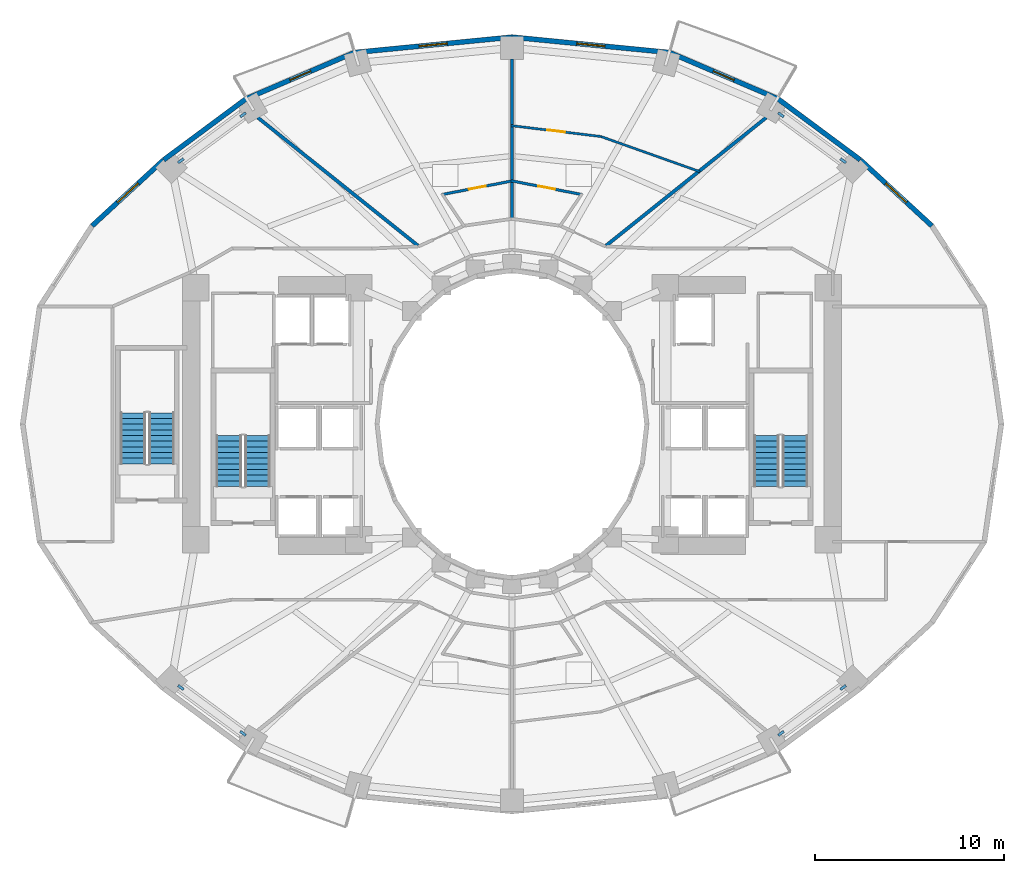
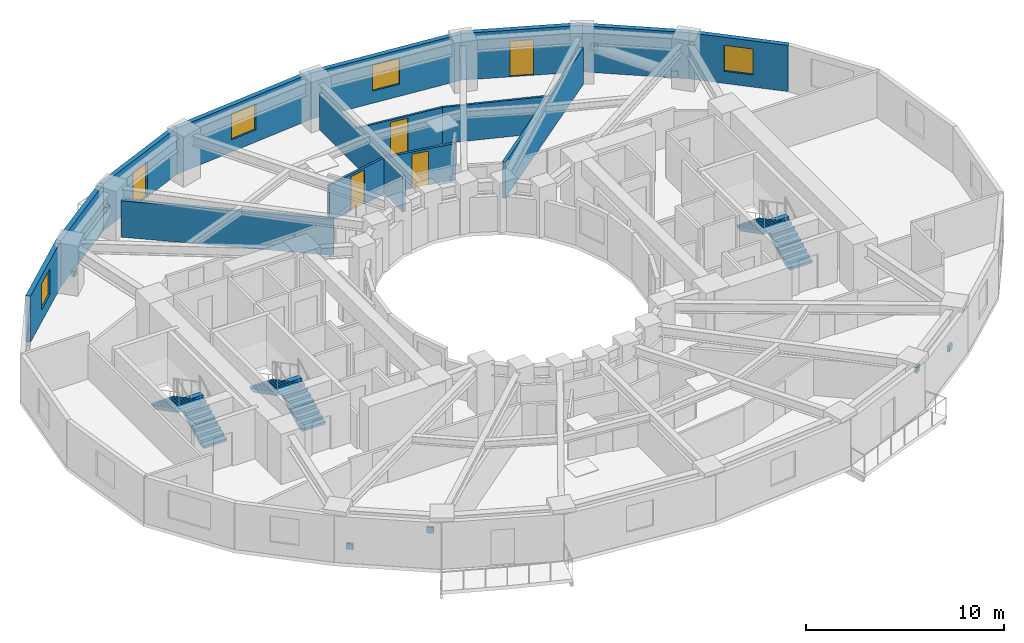
# One storey, part 7 of 10: 15 walls, 8 discrete accessories, 6 stair flights, 5 doors, 4 windows, 9 openings, 3 elements without a shape of their own.
"""IFC4 building model written with IfcOpenShell, lengths in metres."""

from ifc_helpers import new_model, si_unit, direction, frame, frame_2d, origin, origin_2d, place, context, subcontext, project, spatial, polyline, rectangle, outline, extrude, material, layer, layer_set, type_object, element, fill, aggregate, save


model = new_model("IFC4")

# Units and contexts
model_context = context("Model", 3, precision=1e-05, world=origin(), true_north=direction((0.0, 1.0)))
body_context = subcontext(model_context, "Body", "Model", "MODEL_VIEW")
ifc_project = project(units=[si_unit("LENGTHUNIT", "METRE"), si_unit("AREAUNIT", "SQUARE_METRE"), si_unit("VOLUMEUNIT", "CUBIC_METRE"), si_unit("PLANEANGLEUNIT", "RADIAN"), si_unit("MASSUNIT", "GRAM", prefix="KILO")], contexts=[model_context])

# Site, building, storey
site_placement = place(None, origin())
site = spatial("IfcSite", under=ifc_project, at=site_placement, CompositionType="ELEMENT")
building_placement = place(site_placement, origin())
building = spatial("IfcBuilding", under=site, at=building_placement, Name="Solvane Sanctuary Tower", CompositionType="ELEMENT")
storey_placement = place(building_placement, frame((0.0, 0.0, 30.699951171875)))
storey = spatial("IfcBuildingStorey", under=building, at=storey_placement, Name="L08", CompositionType="ELEMENT", Elevation=30.699951171875)

# Wall, opening, window
ifc_material_1 = material(Name="Precast concrete C40/50", Category="concrete")
ifc_layer_1 = layer(ifc_material_1, 0.260009765625, Name="Precast concrete C40/50")
ifc_layer_set_1 = layer_set([ifc_layer_1], Name="Precast concrete C40/50")
wall_type_1 = type_object("IfcWallType", Name="Wall W-EXT-250", PredefinedType="STANDARD", material=ifc_layer_set_1)
wall_1_placement = place(storey_placement, frame((54.19384765625, 33.4755859375, 0.0), z_axis=(0.0, 0.0, 1.0), x_axis=(-0.735655109293, 0.67735630223, 0.0)))
wall_1 = element("IfcWall", 1, at=wall_1_placement, inside=storey, type_object=wall_type_1, Name="L08 Ceramic-Printed Facade Wall 02", PredefinedType="STANDARD", context=body_context, shape_type="SweptSolid", body=[
    extrude(rectangle(XDim=5.15087890625, YDim=0.260009765625, at=frame_2d((2.575439453125, 0.0))), origin(), (0.0, 0.0, 1.0), 2.85009765625),
])
opening_1_placement = place(wall_1_placement, frame((1.825439453125, 0.0, 0.75)))
opening_1 = element("IfcOpeningElement", 2, at=opening_1_placement, cuts=wall_1, Name="Opening WN-OPER-1500", PredefinedType="OPENING", context=body_context, shape_type="SweptSolid", body=[
    extrude(rectangle(XDim=1.5, YDim=1.60009765625, at=frame_2d((0.75, 0.800048828125))), frame((0.0, 0.139892578125, 0.0), z_axis=(0.0, -1.0, 0.0), x_axis=(1.0, 0.0, 0.0)), (0.0, 0.0, 1.0), 0.280029296875),
])
ifc_material_2 = material(Name="Dark Ceramic-Fritted Low-E Glass", Category="glass")
window_type = type_object("IfcWindowType", Name="Window WN-OPER-1500", PartitioningType="SINGLE_PANEL", PredefinedType="WINDOW", material=ifc_material_2)
window_1_placement = place(opening_1_placement, origin())
window_1 = element("IfcWindow", 3, at=window_1_placement, inside=storey, type_object=window_type, Name="L08 Operable Facade Window 02", OverallHeight=1.60009765625, OverallWidth=1.5, PartitioningType="SINGLE_PANEL", PredefinedType="WINDOW", context=body_context, shape_type="SweptSolid", body=[
    extrude(rectangle(XDim=1.5, YDim=1.60009765625, at=frame_2d((0.75, 0.800048828125))), frame((0.0, 0.030029296875, 0.0), z_axis=(0.0, -1.0, 0.0), x_axis=(1.0, 0.0, 0.0)), (0.0, 0.0, 1.0), 0.06005859375),
])
fill(opening_1, window_1)

# Wall
wall_2_placement = place(storey_placement, frame((50.404541015625, 36.964599609375, 0.0), z_axis=(0.0, 0.0, 1.0), x_axis=(-0.803477531792, 0.595335078679, 0.0)))
element("IfcWall", 4, at=wall_2_placement, inside=storey, type_object=wall_type_1, Name="L08 Ceramic-Printed Facade Wall 03", PredefinedType="STANDARD", context=body_context, shape_type="SweptSolid", body=[
    extrude(rectangle(XDim=5.4296875, YDim=0.260009765625, at=frame_2d((2.71484375, 0.0))), origin(), (0.0, 0.0, 1.0), 2.85009765625),
])

# Wall, opening, door
wall_3_placement = place(storey_placement, frame((46.0419921875, 40.197021484375, 0.0), z_axis=(0.0, 0.0, 1.0), x_axis=(-0.919612132394, 0.39282760335, 0.0)))
wall_3 = element("IfcWall", 5, at=wall_3_placement, inside=storey, type_object=wall_type_1, Name="L08 Balcony Facade Wall N1", PredefinedType="STANDARD", context=body_context, shape_type="SweptSolid", body=[
    extrude(rectangle(XDim=6.20947265625, YDim=0.260009765625, at=frame_2d((3.104736328125, 0.0))), origin(), (0.0, 0.0, 1.0), 2.880126953125),
])
opening_2_placement = place(wall_3_placement, frame((2.5048828125, 0.0, 0.0)))
opening_2 = element("IfcOpeningElement", 6, at=opening_2_placement, cuts=wall_3, Name="Opening D-L08-01", PredefinedType="OPENING", context=body_context, shape_type="SweptSolid", body=[
    extrude(rectangle(XDim=1.199951171875, YDim=2.199951171875, at=frame_2d((0.60009765625, 1.10009765625))), frame((0.0, 0.139892578125, 0.0), z_axis=(0.0, -1.0, 0.0), x_axis=(1.0, 0.0, 0.0)), (0.0, 0.0, 1.0), 0.280029296875),
])
ifc_material_3 = material(Name="Anodised Aluminium 6063-T6", Category="aluminium")
door_type_1 = type_object("IfcDoorType", Name="Door D-BALC-1200", OperationType="NOTDEFINED", PredefinedType="DOOR", material=ifc_material_3)
door_1_placement = place(opening_2_placement, origin())
door_1 = element("IfcDoor", 7, at=door_1_placement, inside=storey, type_object=door_type_1, Name="L08 Glazed Balcony Door N1", OperationType="SINGLE_SWING_RIGHT", OverallHeight=2.199951171875, OverallWidth=1.199951171875, PredefinedType="DOOR", context=body_context, shape_type="SweptSolid", body=[
    extrude(rectangle(XDim=1.199951171875, YDim=2.199951171875, at=frame_2d((0.60009765625, 1.10009765625))), frame((0.0, 0.02490234375, 0.0), z_axis=(0.0, -1.0, 0.0), x_axis=(1.0, 0.0, 0.0)), (0.0, 0.0, 1.0), 0.050048828125),
])
fill(opening_2, door_1)

# Wall, opening, window
wall_4_placement = place(storey_placement, frame((40.331787109375, 42.63623046875, 0.0), z_axis=(0.0, 0.0, 1.0), x_axis=(-0.995247718352, 0.097375454379, 0.0)))
wall_4 = element("IfcWall", 8, at=wall_4_placement, inside=storey, type_object=wall_type_1, Name="L08 Ceramic-Printed Facade Wall 05", PredefinedType="STANDARD", context=body_context, shape_type="SweptSolid", body=[
    extrude(rectangle(XDim=8.37158203125, YDim=0.260009765625, at=frame_2d((4.185791015625, 0.0))), origin(), (0.0, 0.0, 1.0), 2.85009765625),
])
opening_3_placement = place(wall_4_placement, frame((3.435791015625, 0.0, 0.75)))
opening_3 = element("IfcOpeningElement", 9, at=opening_3_placement, cuts=wall_4, Name="Opening WN-OPER-1500", PredefinedType="OPENING", context=body_context, shape_type="SweptSolid", body=[
    extrude(rectangle(XDim=1.5, YDim=1.60009765625, at=frame_2d((0.75, 0.800048828125))), frame((0.0, 0.139892578125, 0.0), z_axis=(0.0, -1.0, 0.0), x_axis=(1.0, 0.0, 0.0)), (0.0, 0.0, 1.0), 0.280029296875),
])
window_2_placement = place(opening_3_placement, origin())
window_2 = element("IfcWindow", 10, at=window_2_placement, inside=storey, type_object=window_type, Name="L08 Operable Facade Window 05", OverallHeight=1.60009765625, OverallWidth=1.5, PartitioningType="SINGLE_PANEL", PredefinedType="WINDOW", context=body_context, shape_type="SweptSolid", body=[
    extrude(rectangle(XDim=1.5, YDim=1.60009765625, at=frame_2d((0.75, 0.800048828125))), frame((0.0, 0.030029296875, 0.0), z_axis=(0.0, -1.0, 0.0), x_axis=(1.0, 0.0, 0.0)), (0.0, 0.0, 1.0), 0.06005859375),
])
fill(opening_3, window_2)

wall_5_placement = place(storey_placement, frame((32.0, 43.451416015625, 0.0), z_axis=(0.0, 0.0, 1.0), x_axis=(-0.995247718352, -0.097375454379, 0.0)))
wall_5 = element("IfcWall", 11, at=wall_5_placement, inside=storey, type_object=wall_type_1, Name="L08 Ceramic-Printed Facade Wall 06", PredefinedType="STANDARD", context=body_context, shape_type="SweptSolid", body=[
    extrude(rectangle(XDim=8.37158203125, YDim=0.260009765625, at=frame_2d((4.185791015625, 0.0))), origin(), (0.0, 0.0, 1.0), 2.85009765625),
])
opening_4_placement = place(wall_5_placement, frame((3.435791015625, 0.0, 0.75)))
opening_4 = element("IfcOpeningElement", 12, at=opening_4_placement, cuts=wall_5, Name="Opening WN-OPER-1500", PredefinedType="OPENING", context=body_context, shape_type="SweptSolid", body=[
    extrude(rectangle(XDim=1.5, YDim=1.60009765625, at=frame_2d((0.75, 0.800048828125))), frame((0.0, 0.139892578125, 0.0), z_axis=(0.0, -1.0, 0.0), x_axis=(1.0, 0.0, 0.0)), (0.0, 0.0, 1.0), 0.280029296875),
])
window_3_placement = place(opening_4_placement, origin())
window_3 = element("IfcWindow", 13, at=window_3_placement, inside=storey, type_object=window_type, Name="L08 Operable Facade Window 06", OverallHeight=1.60009765625, OverallWidth=1.5, PartitioningType="SINGLE_PANEL", PredefinedType="WINDOW", context=body_context, shape_type="SweptSolid", body=[
    extrude(rectangle(XDim=1.5, YDim=1.60009765625, at=frame_2d((0.75, 0.800048828125))), frame((0.0, 0.030029296875, 0.0), z_axis=(0.0, -1.0, 0.0), x_axis=(1.0, 0.0, 0.0)), (0.0, 0.0, 1.0), 0.06005859375),
])
fill(opening_4, window_3)

# Wall, opening, door
wall_6_placement = place(storey_placement, frame((23.668212890625, 42.63623046875, 0.0), z_axis=(0.0, 0.0, 1.0), x_axis=(-0.919612132394, -0.39282760335, 0.0)))
wall_6 = element("IfcWall", 14, at=wall_6_placement, inside=storey, type_object=wall_type_1, Name="L08 Balcony Facade Wall N2", PredefinedType="STANDARD", context=body_context, shape_type="SweptSolid", body=[
    extrude(rectangle(XDim=6.20947265625, YDim=0.260009765625, at=frame_2d((3.104736328125, 0.0))), origin(), (0.0, 0.0, 1.0), 2.880126953125),
])
opening_5_placement = place(wall_6_placement, frame((2.5048828125, 0.0, 0.0)))
opening_5 = element("IfcOpeningElement", 15, at=opening_5_placement, cuts=wall_6, Name="Opening D-L08-02", PredefinedType="OPENING", context=body_context, shape_type="SweptSolid", body=[
    extrude(rectangle(XDim=1.199951171875, YDim=2.199951171875, at=frame_2d((0.60009765625, 1.10009765625))), frame((0.0, 0.139892578125, 0.0), z_axis=(0.0, -1.0, 0.0), x_axis=(1.0, 0.0, 0.0)), (0.0, 0.0, 1.0), 0.280029296875),
])
door_2_placement = place(opening_5_placement, origin())
door_2 = element("IfcDoor", 16, at=door_2_placement, inside=storey, type_object=door_type_1, Name="L08 Glazed Balcony Door N2", OperationType="SINGLE_SWING_LEFT", OverallHeight=2.199951171875, OverallWidth=1.199951171875, PredefinedType="DOOR", context=body_context, shape_type="SweptSolid", body=[
    extrude(rectangle(XDim=1.199951171875, YDim=2.199951171875, at=frame_2d((0.60009765625, 1.10009765625))), frame((0.0, 0.02490234375, 0.0), z_axis=(0.0, -1.0, 0.0), x_axis=(1.0, 0.0, 0.0)), (0.0, 0.0, 1.0), 0.050048828125),
])
fill(opening_5, door_2)

# Wall
wall_7_placement = place(storey_placement, frame((17.9580078125, 40.197021484375, 0.0), z_axis=(0.0, 0.0, 1.0), x_axis=(-0.803477531792, -0.595335078679, 0.0)))
element("IfcWall", 17, at=wall_7_placement, inside=storey, type_object=wall_type_1, Name="L08 Ceramic-Printed Facade Wall 08", PredefinedType="STANDARD", context=body_context, shape_type="SweptSolid", body=[
    extrude(rectangle(XDim=5.4296875, YDim=0.260009765625, at=frame_2d((2.71484375, 0.0))), origin(), (0.0, 0.0, 1.0), 2.85009765625),
])

# Wall, opening, window
wall_8_placement = place(storey_placement, frame((13.595458984375, 36.964599609375, 0.0), z_axis=(0.0, 0.0, 1.0), x_axis=(-0.735655109293, -0.67735630223, 0.0)))
wall_8 = element("IfcWall", 18, at=wall_8_placement, inside=storey, type_object=wall_type_1, Name="L08 Ceramic-Printed Facade Wall 09", PredefinedType="STANDARD", context=body_context, shape_type="SweptSolid", body=[
    extrude(rectangle(XDim=5.15087890625, YDim=0.260009765625, at=frame_2d((2.575439453125, 0.0))), origin(), (0.0, 0.0, 1.0), 2.85009765625),
])
opening_6_placement = place(wall_8_placement, frame((1.825439453125, 0.0, 0.75)))
opening_6 = element("IfcOpeningElement", 19, at=opening_6_placement, cuts=wall_8, Name="Opening WN-OPER-1500", PredefinedType="OPENING", context=body_context, shape_type="SweptSolid", body=[
    extrude(rectangle(XDim=1.5, YDim=1.60009765625, at=frame_2d((0.75, 0.800048828125))), frame((0.0, 0.139892578125, 0.0), z_axis=(0.0, -1.0, 0.0), x_axis=(1.0, 0.0, 0.0)), (0.0, 0.0, 1.0), 0.280029296875),
])
window_4_placement = place(opening_6_placement, origin())
window_4 = element("IfcWindow", 20, at=window_4_placement, inside=storey, type_object=window_type, Name="L08 Operable Facade Window 09", OverallHeight=1.60009765625, OverallWidth=1.5, PartitioningType="SINGLE_PANEL", PredefinedType="WINDOW", context=body_context, shape_type="SweptSolid", body=[
    extrude(rectangle(XDim=1.5, YDim=1.60009765625, at=frame_2d((0.75, 0.800048828125))), frame((0.0, 0.030029296875, 0.0), z_axis=(0.0, -1.0, 0.0), x_axis=(1.0, 0.0, 0.0)), (0.0, 0.0, 1.0), 0.06005859375),
])
fill(opening_6, window_4)

# Wall
ifc_material_4 = material(Name="Acoustic Gypsum Partition Board")
ifc_layer_2 = layer(ifc_material_4, 0.1201171875, Name="Acoustic Gypsum Partition Board")
ifc_layer_set_2 = layer_set([ifc_layer_2], Name="Acoustic Gypsum Partition Board")
wall_type_2 = type_object("IfcWallType", Name="Wall W-MOV-100", PredefinedType="MOVABLE", material=ifc_layer_set_2)
wall_9_placement = place(storey_placement, frame((41.927734375, 36.341796875, 0.0), z_axis=(0.0, 0.0, 1.0), x_axis=(-0.942369240096, 0.334574678243, 0.0)))
element("IfcWall", 21, at=wall_9_placement, inside=storey, type_object=wall_type_2, Name="L08 Suite Sitting Lounge Partition N1", PredefinedType="MOVABLE", context=body_context, shape_type="SweptSolid", body=[
    extrude(rectangle(XDim=5.558837890625, YDim=0.1201171875, at=frame_2d((2.779296875, 0.0))), origin(), (0.0, 0.0, 1.0), 2.237060546875),
])

# Wall, opening, door
wall_10_placement = place(storey_placement, frame((36.70849609375, 38.197265625, 0.0), z_axis=(0.0, 0.0, 1.0), x_axis=(-0.992699076447, 0.120617343785, 0.0)))
wall_10 = element("IfcWall", 22, at=wall_10_placement, inside=storey, type_object=wall_type_2, Name="L08 Suite Sitting Lounge Partition N1", PredefinedType="MOVABLE", context=body_context, shape_type="SweptSolid", body=[
    extrude(rectangle(XDim=4.79296875, YDim=0.1201171875, at=frame_2d((2.396484375, 0.0))), origin(), (0.0, 0.0, 1.0), 2.237060546875),
])
opening_7_placement = place(wall_10_placement, frame((1.921630859375, 0.0, 0.0)))
opening_7 = element("IfcOpeningElement", 23, at=opening_7_placement, cuts=wall_10, Name="Opening D-L08-18", PredefinedType="OPENING", context=body_context, shape_type="SweptSolid", body=[
    extrude(rectangle(XDim=0.949951171875, YDim=2.10009765625, at=frame_2d((0.47509765625, 1.050048828125))), frame((0.0, 0.070068359375, 0.0), z_axis=(0.0, -1.0, 0.0), x_axis=(1.0, 0.0, 0.0)), (0.0, 0.0, 1.0), 0.14013671875),
])
ifc_material_5 = material(Name="Engineered Tropical Hardwood", Category="wood")
door_type_2 = type_object("IfcDoorType", Name="Door D-ROOM-950", OperationType="NOTDEFINED", PredefinedType="DOOR", material=ifc_material_5)
door_3_placement = place(opening_7_placement, origin())
door_3 = element("IfcDoor", 24, at=door_3_placement, inside=storey, type_object=door_type_2, Name="L08 Suite Sitting Lounge Door N1", OperationType="SINGLE_SWING_RIGHT", OverallHeight=2.10009765625, OverallWidth=0.949951171875, PredefinedType="DOOR", context=body_context, shape_type="SweptSolid", body=[
    extrude(rectangle(XDim=0.949951171875, YDim=2.10009765625, at=frame_2d((0.47509765625, 1.050048828125))), frame((0.0, 0.02490234375, 0.0), z_axis=(0.0, -1.0, 0.0), x_axis=(1.0, 0.0, 0.0)), (0.0, 0.0, 1.0), 0.050048828125),
])
fill(opening_7, door_3)

# Walls
ifc_layer_3 = layer(ifc_material_4, 0.179931640625, Name="Acoustic Gypsum Partition Board")
ifc_layer_set_3 = layer_set([ifc_layer_3], Name="Acoustic Gypsum Partition Board")
wall_type_3 = type_object("IfcWallType", Name="Wall W-UNIT-180", PredefinedType="PARTITIONING", material=ifc_layer_set_3)
wall_11_placement = place(storey_placement, frame((36.968017578125, 32.4306640625, 0.0), z_axis=(0.0, 0.0, 1.0), x_axis=(0.781055486744, 0.624461629428, 0.0)))
element("IfcWall", 25, at=wall_11_placement, inside=storey, type_object=wall_type_3, Name="L08 Radial Compartment Wall 060", PredefinedType="PARTITIONING", context=body_context, shape_type="SweptSolid", body=[
    extrude(rectangle(XDim=10.84326171875, YDim=0.179931640625, at=frame_2d((5.421630859375, 0.0))), origin(), (0.0, 0.0, 1.0), 2.237060546875),
])
wall_12_placement = place(storey_placement, frame((32.0, 33.905029296875, 0.0), z_axis=(0.0, 0.0, 1.0), x_axis=(0.0, 1.0, 0.0)))
element("IfcWall", 26, at=wall_12_placement, inside=storey, type_object=wall_type_3, Name="L08 Radial Compartment Wall 090", PredefinedType="PARTITIONING", context=body_context, shape_type="SweptSolid", body=[
    extrude(rectangle(XDim=8.39501953125, YDim=0.179931640625, at=frame_2d((4.197509765625, 0.0))), origin(), (0.0, 0.0, 1.0), 2.237060546875),
])
wall_13_placement = place(storey_placement, frame((27.031982421875, 32.4306640625, 0.0), z_axis=(0.0, 0.0, 1.0), x_axis=(-0.781055486744, 0.624461629428, 0.0)))
element("IfcWall", 27, at=wall_13_placement, inside=storey, type_object=wall_type_3, Name="L08 Radial Compartment Wall 120", PredefinedType="PARTITIONING", context=body_context, shape_type="SweptSolid", body=[
    extrude(rectangle(XDim=10.84326171875, YDim=0.179931640625, at=frame_2d((5.421630859375, 0.0))), origin(), (0.0, 0.0, 1.0), 2.237060546875),
])

# Wall, opening, door
ifc_layer_4 = layer(ifc_material_4, 0.139892578125, Name="Acoustic Gypsum Partition Board")
ifc_layer_set_4 = layer_set([ifc_layer_4], Name="Acoustic Gypsum Partition Board")
wall_type_4 = type_object("IfcWallType", Name="Wall W-WET-140", PredefinedType="PLUMBINGWALL", material=ifc_layer_set_4)
wall_14_placement = place(storey_placement, frame((35.7197265625, 35.126953125, 0.0), z_axis=(0.0, 0.0, 1.0), x_axis=(-0.981623000654, 0.190830512727, 0.0)))
wall_14 = element("IfcWall", 28, at=wall_14_placement, inside=storey, type_object=wall_type_4, Name="L08 En-suite Bedroom Wall N1", PredefinedType="PLUMBINGWALL", context=body_context, shape_type="SweptSolid", body=[
    extrude(rectangle(XDim=3.83935546875, YDim=0.139892578125, at=frame_2d((1.919677734375, 0.0))), origin(), (0.0, 0.0, 1.0), 2.237060546875),
])
opening_8_placement = place(wall_14_placement, frame((1.4697265625, 0.0, 0.0)))
opening_8 = element("IfcOpeningElement", 29, at=opening_8_placement, cuts=wall_14, Name="Opening D-L08-19", PredefinedType="OPENING", context=body_context, shape_type="SweptSolid", body=[
    extrude(rectangle(XDim=0.89990234375, YDim=2.10009765625, at=frame_2d((0.449951171875, 1.050048828125))), frame((0.0, 0.079833984375, 0.0), z_axis=(0.0, -1.0, 0.0), x_axis=(1.0, 0.0, 0.0)), (0.0, 0.0, 1.0), 0.159912109375),
])
door_type_3 = type_object("IfcDoorType", Name="Door D-WET-900", OperationType="NOTDEFINED", PredefinedType="DOOR", material=ifc_material_5)
door_4_placement = place(opening_8_placement, origin())
door_4 = element("IfcDoor", 30, at=door_4_placement, inside=storey, type_object=door_type_3, Name="L08 En-suite Bathroom Door N1", OperationType="SINGLE_SWING_LEFT", OverallHeight=2.10009765625, OverallWidth=0.89990234375, PredefinedType="DOOR", context=body_context, shape_type="SweptSolid", body=[
    extrude(rectangle(XDim=0.89990234375, YDim=2.10009765625, at=frame_2d((0.449951171875, 1.050048828125))), frame((0.0, 0.02490234375, 0.0), z_axis=(0.0, -1.0, 0.0), x_axis=(1.0, 0.0, 0.0)), (0.0, 0.0, 1.0), 0.050048828125),
])
fill(opening_8, door_4)

wall_15_placement = place(storey_placement, frame((32.049072265625, 35.859619140625, 0.0), z_axis=(0.0, 0.0, 1.0), x_axis=(-0.981623000654, -0.190830512727, 0.0)))
wall_15 = element("IfcWall", 31, at=wall_15_placement, inside=storey, type_object=wall_type_4, Name="L08 En-suite Bedroom Wall N2", PredefinedType="PLUMBINGWALL", context=body_context, shape_type="SweptSolid", body=[
    extrude(rectangle(XDim=3.83935546875, YDim=0.139892578125, at=frame_2d((1.919677734375, 0.0))), origin(), (0.0, 0.0, 1.0), 2.237060546875),
])
opening_9_placement = place(wall_15_placement, frame((1.4697265625, 0.0, 0.0)))
opening_9 = element("IfcOpeningElement", 32, at=opening_9_placement, cuts=wall_15, Name="Opening D-L08-21", PredefinedType="OPENING", context=body_context, shape_type="SweptSolid", body=[
    extrude(rectangle(XDim=0.89990234375, YDim=2.10009765625, at=frame_2d((0.449951171875, 1.050048828125))), frame((0.0, 0.079833984375, 0.0), z_axis=(0.0, -1.0, 0.0), x_axis=(1.0, 0.0, 0.0)), (0.0, 0.0, 1.0), 0.159912109375),
])
door_5_placement = place(opening_9_placement, origin())
door_5 = element("IfcDoor", 33, at=door_5_placement, inside=storey, type_object=door_type_3, Name="L08 En-suite Bathroom Door N2", OperationType="SINGLE_SWING_LEFT", OverallHeight=2.10009765625, OverallWidth=0.89990234375, PredefinedType="DOOR", context=body_context, shape_type="SweptSolid", body=[
    extrude(rectangle(XDim=0.89990234375, YDim=2.10009765625, at=frame_2d((0.449951171875, 1.050048828125))), frame((0.0, 0.02490234375, 0.0), z_axis=(0.0, -1.0, 0.0), x_axis=(1.0, 0.0, 0.0)), (0.0, 0.0, 1.0), 0.050048828125),
])
fill(opening_9, door_5)

# Stair, stair flights
ifc_material_6 = material(Name="Concrete C45/55", Category="concrete")
stair_type = type_object("IfcStairType", Name="Stair ST-TOW", PredefinedType="HALF_TURN_STAIR", material=ifc_material_6)
stair_1_placement = place(storey_placement, origin())
stair_1 = element("IfcStair", 34, at=stair_1_placement, inside=storey, type_object=stair_type, Name="L08 Exit Stair ST-1 West Core", PredefinedType="HALF_TURN_STAIR")
stair_flight_type = type_object("IfcStairFlightType", Name="StairFlight SF-TOW", PredefinedType="STRAIGHT", material=ifc_material_6)
stair_flight_1_placement = place(storey_placement, frame((18.544921875, 19.699951171875, 0.0), z_axis=(0.0, 0.0, 1.0), x_axis=(0.0, 1.0, 0.0)))
stair_flight_1 = element("IfcStairFlight", 35, at=stair_flight_1_placement, type_object=stair_flight_type, Name="ST-1 flight 1", NumberOfRisers=10, NumberOfTreads=9, PredefinedType="STRAIGHT", RiserHeight=0.155, TreadLength=0.3, context=body_context, shape_type="SweptSolid", body=[
    extrude(outline(polyline([(0.0, 0.0), (0.0, 0.155029296875), (0.300048828125, 0.155029296875), (0.300048828125, 0.31005859375), (0.60009765625, 0.31005859375), (0.60009765625, 0.465087890625), (0.89990234375, 0.465087890625), (0.89990234375, 0.6201171875), (1.199951171875, 0.6201171875), (1.199951171875, 0.77490234375), (1.5, 0.77490234375), (1.5, 0.929931640625), (1.800048828125, 0.929931640625), (1.800048828125, 1.0849609375), (2.10009765625, 1.0849609375), (2.10009765625, 1.239990234375), (2.39990234375, 1.239990234375), (2.39990234375, 1.39501953125), (2.699951171875, 1.39501953125), (2.699951171875, 1.550048828125), (2.699951171875, 1.1923828125), (0.39208984375, 0.0), (0.0, 0.0)])), frame((0.0, 0.675048828125, 0.0), z_axis=(0.0, -1.0, 0.0), x_axis=(1.0, 0.0, 0.0)), (0.0, 0.0, 1.0), 1.35009765625),
])
stair_flight_2_placement = place(storey_placement, frame((17.034912109375, 22.39990234375, 1.550048828125), z_axis=(0.0, 0.0, 1.0), x_axis=(0.0, -1.0, 0.0)))
stair_flight_2 = element("IfcStairFlight", 36, at=stair_flight_2_placement, type_object=stair_flight_type, Name="ST-1 flight 2", NumberOfRisers=10, NumberOfTreads=9, PredefinedType="STRAIGHT", RiserHeight=0.155, TreadLength=0.3, context=body_context, shape_type="SweptSolid", body=[
    extrude(outline(polyline([(0.0, 0.0), (0.0, 0.155029296875), (0.300048828125, 0.155029296875), (0.300048828125, 0.31005859375), (0.60009765625, 0.31005859375), (0.60009765625, 0.465087890625), (0.89990234375, 0.465087890625), (0.89990234375, 0.6201171875), (1.199951171875, 0.6201171875), (1.199951171875, 0.77490234375), (1.5, 0.77490234375), (1.5, 0.929931640625), (1.800048828125, 0.929931640625), (1.800048828125, 1.0849609375), (2.10009765625, 1.0849609375), (2.10009765625, 1.239990234375), (2.39990234375, 1.239990234375), (2.39990234375, 1.39501953125), (2.699951171875, 1.39501953125), (2.699951171875, 1.550048828125), (2.699951171875, 1.1923828125), (0.39208984375, 0.0), (0.0, 0.0)])), frame((0.0, 0.675048828125, 0.0), z_axis=(0.0, -1.0, 0.0), x_axis=(1.0, 0.0, 0.0)), (0.0, 0.0, 1.0), 1.35009765625),
])
aggregate(stair_1, [stair_flight_1, stair_flight_2])

stair_2_placement = place(storey_placement, origin())
stair_2 = element("IfcStair", 37, at=stair_2_placement, inside=storey, type_object=stair_type, Name="L08 Exit Stair ST-2 East Core", PredefinedType="HALF_TURN_STAIR")
stair_flight_3_placement = place(storey_placement, frame((46.965087890625, 19.699951171875, 0.0), z_axis=(0.0, 0.0, 1.0), x_axis=(0.0, 1.0, 0.0)))
stair_flight_3 = element("IfcStairFlight", 38, at=stair_flight_3_placement, type_object=stair_flight_type, Name="ST-2 flight 1", NumberOfRisers=10, NumberOfTreads=9, PredefinedType="STRAIGHT", RiserHeight=0.155, TreadLength=0.3, context=body_context, shape_type="SweptSolid", body=[
    extrude(outline(polyline([(0.0, 0.0), (0.0, 0.155029296875), (0.300048828125, 0.155029296875), (0.300048828125, 0.31005859375), (0.60009765625, 0.31005859375), (0.60009765625, 0.465087890625), (0.89990234375, 0.465087890625), (0.89990234375, 0.6201171875), (1.199951171875, 0.6201171875), (1.199951171875, 0.77490234375), (1.5, 0.77490234375), (1.5, 0.929931640625), (1.800048828125, 0.929931640625), (1.800048828125, 1.0849609375), (2.10009765625, 1.0849609375), (2.10009765625, 1.239990234375), (2.39990234375, 1.239990234375), (2.39990234375, 1.39501953125), (2.699951171875, 1.39501953125), (2.699951171875, 1.550048828125), (2.699951171875, 1.1923828125), (0.39208984375, 0.0), (0.0, 0.0)])), frame((0.0, 0.675048828125, 0.0), z_axis=(0.0, -1.0, 0.0), x_axis=(1.0, 0.0, 0.0)), (0.0, 0.0, 1.0), 1.35009765625),
])
stair_flight_4_placement = place(storey_placement, frame((45.455078125, 22.39990234375, 1.550048828125), z_axis=(0.0, 0.0, 1.0), x_axis=(0.0, -1.0, 0.0)))
stair_flight_4 = element("IfcStairFlight", 39, at=stair_flight_4_placement, type_object=stair_flight_type, Name="ST-2 flight 2", NumberOfRisers=10, NumberOfTreads=9, PredefinedType="STRAIGHT", RiserHeight=0.155, TreadLength=0.3, context=body_context, shape_type="SweptSolid", body=[
    extrude(outline(polyline([(0.0, 0.0), (0.0, 0.155029296875), (0.300048828125, 0.155029296875), (0.300048828125, 0.31005859375), (0.60009765625, 0.31005859375), (0.60009765625, 0.465087890625), (0.89990234375, 0.465087890625), (0.89990234375, 0.6201171875), (1.199951171875, 0.6201171875), (1.199951171875, 0.77490234375), (1.5, 0.77490234375), (1.5, 0.929931640625), (1.800048828125, 0.929931640625), (1.800048828125, 1.0849609375), (2.10009765625, 1.0849609375), (2.10009765625, 1.239990234375), (2.39990234375, 1.239990234375), (2.39990234375, 1.39501953125), (2.699951171875, 1.39501953125), (2.699951171875, 1.550048828125), (2.699951171875, 1.1923828125), (0.39208984375, 0.0), (0.0, 0.0)])), frame((0.0, 0.675048828125, 0.0), z_axis=(0.0, -1.0, 0.0), x_axis=(1.0, 0.0, 0.0)), (0.0, 0.0, 1.0), 1.35009765625),
])
aggregate(stair_2, [stair_flight_3, stair_flight_4])

stair_3_placement = place(storey_placement, origin())
stair_3 = element("IfcStair", 40, at=stair_3_placement, inside=storey, type_object=stair_type, Name="L08 Exit Stair ST-3 Pilgrim Tower Stair", PredefinedType="HALF_TURN_STAIR")
stair_flight_5_placement = place(storey_placement, frame((13.485107421875, 20.89990234375, 0.0), z_axis=(0.0, 0.0, 1.0), x_axis=(0.0, 1.0, 0.0)))
stair_flight_5 = element("IfcStairFlight", 41, at=stair_flight_5_placement, type_object=stair_flight_type, Name="ST-3 flight 1", NumberOfRisers=10, NumberOfTreads=9, PredefinedType="STRAIGHT", RiserHeight=0.155, TreadLength=0.3, context=body_context, shape_type="SweptSolid", body=[
    extrude(outline(polyline([(0.0, 0.0), (0.0, 0.155029296875), (0.300048828125, 0.155029296875), (0.300048828125, 0.31005859375), (0.60009765625, 0.31005859375), (0.60009765625, 0.465087890625), (0.89990234375, 0.465087890625), (0.89990234375, 0.6201171875), (1.199951171875, 0.6201171875), (1.199951171875, 0.77490234375), (1.5, 0.77490234375), (1.5, 0.929931640625), (1.800048828125, 0.929931640625), (1.800048828125, 1.0849609375), (2.10009765625, 1.0849609375), (2.10009765625, 1.239990234375), (2.39990234375, 1.239990234375), (2.39990234375, 1.39501953125), (2.699951171875, 1.39501953125), (2.699951171875, 1.550048828125), (2.699951171875, 1.1923828125), (0.39208984375, 0.0), (0.0, 0.0)])), frame((0.0, 0.675048828125, 0.0), z_axis=(0.0, -1.0, 0.0), x_axis=(1.0, 0.0, 0.0)), (0.0, 0.0, 1.0), 1.35009765625),
])
stair_flight_6_placement = place(storey_placement, frame((11.97509765625, 23.60009765625, 1.550048828125), z_axis=(0.0, 0.0, 1.0), x_axis=(0.0, -1.0, 0.0)))
stair_flight_6 = element("IfcStairFlight", 42, at=stair_flight_6_placement, type_object=stair_flight_type, Name="ST-3 flight 2", NumberOfRisers=10, NumberOfTreads=9, PredefinedType="STRAIGHT", RiserHeight=0.155, TreadLength=0.3, context=body_context, shape_type="SweptSolid", body=[
    extrude(outline(polyline([(0.0, 0.0), (0.0, 0.155029296875), (0.300048828125, 0.155029296875), (0.300048828125, 0.31005859375), (0.60009765625, 0.31005859375), (0.60009765625, 0.465087890625), (0.89990234375, 0.465087890625), (0.89990234375, 0.6201171875), (1.199951171875, 0.6201171875), (1.199951171875, 0.77490234375), (1.5, 0.77490234375), (1.5, 0.929931640625), (1.800048828125, 0.929931640625), (1.800048828125, 1.0849609375), (2.10009765625, 1.0849609375), (2.10009765625, 1.239990234375), (2.39990234375, 1.239990234375), (2.39990234375, 1.39501953125), (2.699951171875, 1.39501953125), (2.699951171875, 1.550048828125), (2.699951171875, 1.1923828125), (0.39208984375, 0.0), (0.0, 0.0)])), frame((0.0, 0.675048828125, 0.0), z_axis=(0.0, -1.0, 0.0), x_axis=(1.0, 0.0, 0.0)), (0.0, 0.0, 1.0), 1.35009765625),
])
aggregate(stair_3, [stair_flight_5, stair_flight_6])

# Discrete accessories
ifc_material_7 = material(Name="Steel ASTM A572 Grade 50", Category="steel")
ifc_layer_5 = layer(ifc_material_7, 0.360107421875, Name="Steel ASTM A572 Grade 50")
ifc_layer_set_5 = layer_set([ifc_layer_5], Name="Steel ASTM A572 Grade 50")
discrete_accessory_type = type_object("IfcDiscreteAccessoryType", Name="Accessory ACC-GUSSET-BRK", PredefinedType="BRACKET", material=ifc_layer_set_5)
for number, where, z_axis, x_axis, name in (
    (43, (49.499755859375, 36.9169921875, 0.3984375), (0.0, 0.0, 1.0), (-0.804271929332, 0.594261443885, 0.0), "L08 Perimeter Braced-Tube Diagonal NE End Gusset Bracket A"),
    (44, (46.216796875, 39.34228515625, 1.7216796875), (0.0, 0.0, 1.0), (-0.804271929332, 0.594261443885, 0.0), "L08 Perimeter Braced-Tube Diagonal NE End Gusset Bracket B"),
    (45, (14.500244140625, 36.9169921875, 0.3984375), (0.0, 0.0, 1.0), (0.804271929332, 0.594261443885, 0.0), "L08 Perimeter Braced-Tube Diagonal NW End Gusset Bracket A"),
    (46, (17.783203125, 39.34228515625, 1.7216796875), (0.0, 0.0, 1.0), (0.804271929332, 0.594261443885, 0.0), "L08 Perimeter Braced-Tube Diagonal NW End Gusset Bracket B"),
    (47, (14.500244140625, 9.0830078125, 0.3984375), (0.0, 0.0, 1.0), (0.804271929332, -0.594261443885, 0.0), "L08 Perimeter Braced-Tube Diagonal SW End Gusset Bracket A"),
    (48, (17.783203125, 6.65771484375, 1.7216796875), (0.0, 0.0, 1.0), (0.804271929332, -0.594261443885, 0.0), "L08 Perimeter Braced-Tube Diagonal SW End Gusset Bracket B"),
    (49, (49.499755859375, 9.0830078125, 0.3984375), (0.0, 0.0, 1.0), (-0.804271929332, -0.594261443885, 0.0), "L08 Perimeter Braced-Tube Diagonal SE End Gusset Bracket A"),
    (50, (46.216796875, 6.65771484375, 1.7216796875), (0.0, 0.0, 1.0), (-0.804271929332, -0.594261443885, 0.0), "L08 Perimeter Braced-Tube Diagonal SE End Gusset Bracket B"),
):
    element("IfcDiscreteAccessory", number, at=place(storey_placement, frame(where, z_axis=z_axis, x_axis=x_axis)), inside=storey, type_object=discrete_accessory_type, Name=name, PredefinedType="BRACKET", context=body_context, shape_type="SweptSolid", body=[
        extrude(rectangle(XDim=0.360107421875, YDim=0.139892578125, at=origin_2d()), origin(), (0.0, 0.0, 1.0), 0.360107421875),
    ])

save(model, "model.ifc")
